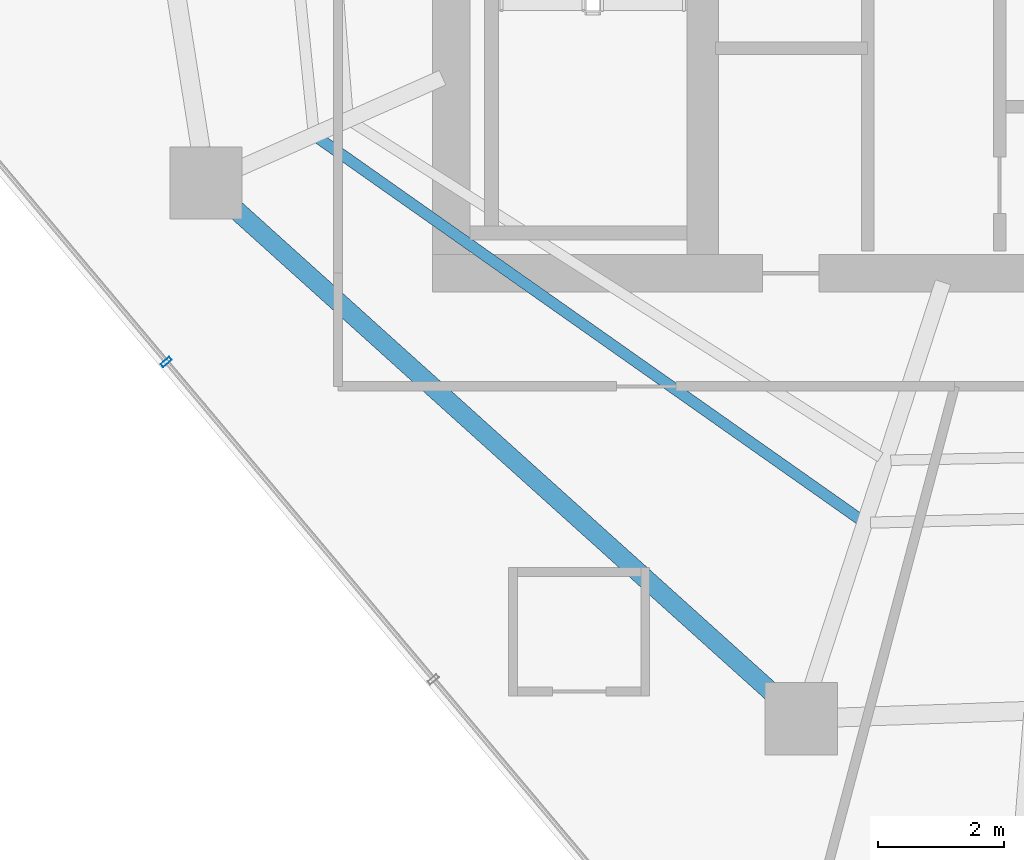
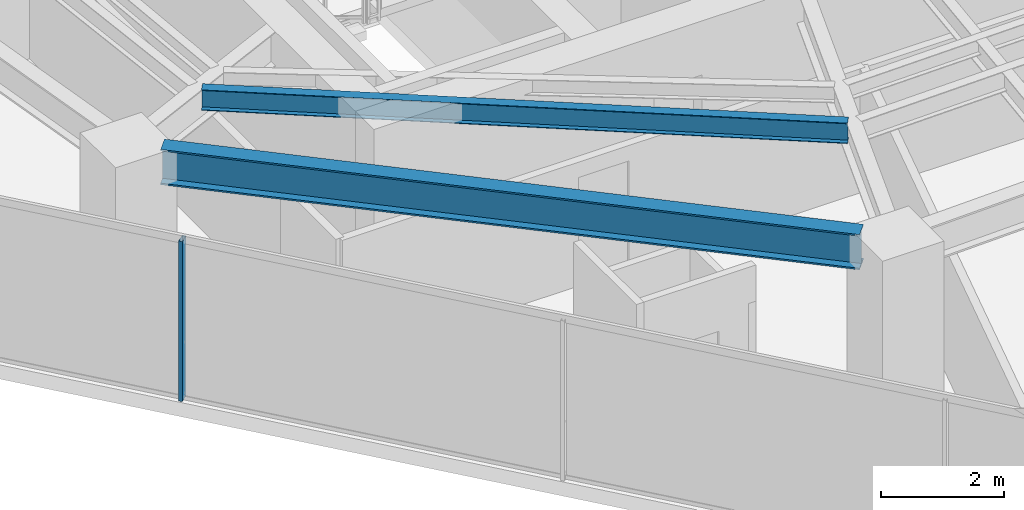
# One storey, part 4 of 27: 2 beams, 1 member, 1 element without a shape of its own.
"""IFC4 building model written with IfcOpenShell, lengths in metres."""

from ifc_helpers import new_model, si_unit, direction, frame, origin, origin_2d, place, context, subcontext, project, spatial, hollow_rectangle, i_section, extrude, material, layer, layer_set, material_profile, profile_set, type_object, element, aggregate, save


model = new_model("IFC4")

# Units and contexts
model_context = context("Model", 3, precision=1e-05, world=origin(), true_north=direction((0.0, 1.0)))
body_context = subcontext(model_context, "Body", "Model", "MODEL_VIEW")
ifc_project = project(units=[si_unit("LENGTHUNIT", "METRE"), si_unit("AREAUNIT", "SQUARE_METRE"), si_unit("VOLUMEUNIT", "CUBIC_METRE"), si_unit("PLANEANGLEUNIT", "RADIAN"), si_unit("MASSUNIT", "GRAM", prefix="KILO")], contexts=[model_context])

# Site, building, storey
site_placement = place(None, origin())
site = spatial("IfcSite", under=ifc_project, at=site_placement, CompositionType="ELEMENT")
building_placement = place(site_placement, origin())
building = spatial("IfcBuilding", under=site, at=building_placement, Name="Qarnah Convention Tower", CompositionType="ELEMENT")
storey_placement = place(building_placement, frame((0.0, 0.0, 103.949951171875)))
storey = spatial("IfcBuildingStorey", under=building, at=storey_placement, Name="L27", CompositionType="ELEMENT", Elevation=103.949951171875)

# Beams
ifc_material_1 = material(Name="Structural steel S355JR", Category="steel")
ifc_material_profile_1 = material_profile(ifc_material_1, i_section(OverallWidth=0.177978515625, OverallDepth=0.407958984375, WebThickness=0.008056640625, FlangeThickness=0.012939453125, at=origin_2d()), Name="W410X60")
ifc_profile_set_1 = profile_set([ifc_material_profile_1], Name="Structural steel S355JR")
beam_type_1 = type_object("IfcBeamType", Name="BM-JST-W410", PredefinedType="JOIST", material=ifc_profile_set_1)
beam_1_placement = place(storey_placement, frame((24.69189453125, 20.74609375, 2.966064453125), z_axis=(0.817744581848, -0.57558127042, 0.0), x_axis=(0.57558127042, 0.817744581848, 0.0)))
element("IfcBeam", 1, at=beam_1_placement, inside=storey, type_object=beam_type_1, Name="L27 joist BM-L27-SJST-06", PredefinedType="JOIST", context=body_context, shape_type="SweptSolid", body=[
    extrude(i_section(OverallWidth=0.177978515625, OverallDepth=0.407958984375, WebThickness=0.008056640625, FlangeThickness=0.012939453125, at=origin_2d()), origin(), (0.0, 0.0, 1.0), 10.5302734375),
])
ifc_material_profile_2 = material_profile(ifc_material_1, i_section(OverallWidth=0.300048828125, OverallDepth=0.699951171875, WebThickness=0.01708984375, FlangeThickness=0.031982421875, at=origin_2d()), Name="HEB700")
ifc_profile_set_2 = profile_set([ifc_material_profile_2], Name="Structural steel S355JR")
beam_type_2 = type_object("IfcBeamType", Name="BM-RING-HEB700", PredefinedType="BEAM", material=ifc_profile_set_2)
beam_2_placement = place(storey_placement, frame((23.322998046875, 19.656982421875, 2.820068359375), z_axis=(0.743124603424, -0.669153064541, 0.0), x_axis=(0.669153064541, 0.743124603424, 0.0)))
element("IfcBeam", 2, at=beam_2_placement, inside=storey, type_object=beam_type_2, Name="L27 beam BM-L27-SPN-06", PredefinedType="BEAM", context=body_context, shape_type="SweptSolid", body=[
    extrude(i_section(OverallWidth=0.300048828125, OverallDepth=0.699951171875, WebThickness=0.01708984375, FlangeThickness=0.031982421875, at=origin_2d()), origin(), (0.0, 0.0, 1.0), 11.60107421875),
])

# Curtain wall, member
ifc_material_2 = material(Name="Tempered Low-E dark glass", Category="glass")
ifc_layer = layer(ifc_material_2, 0.169921875)
ifc_layer_set = layer_set([ifc_layer], Name="Tempered Low-E dark glass")
curtain_wall_type = type_object("IfcCurtainWallType", Name="CWS-02", PredefinedType="NOTDEFINED", material=ifc_layer_set)
curtain_wall_placement = place(storey_placement, origin())
curtain_wall = element("IfcCurtainWall", 3, at=curtain_wall_placement, inside=storey, type_object=curtain_wall_type, Name="L27 unitised curtain wall CW-L27-F1", PredefinedType="NOTDEFINED")
ifc_material_3 = material(Name="Black anodised aluminium", Category="aluminium")
ifc_material_profile_3 = material_profile(ifc_material_3, hollow_rectangle(XDim=0.06494140625, YDim=0.179931640625, WallThickness=0.00390625, at=origin_2d()), Name="MUL-65X180")
ifc_profile_set_3 = profile_set([ifc_material_profile_3], Name="Black anodised aluminium")
member_type = type_object("IfcMemberType", Name="MUL-T2", PredefinedType="MULLION", material=ifc_profile_set_3)
member_placement = place(storey_placement, frame((22.269287109375, 17.18994140625, 0.0), z_axis=(0.0, 0.0, 1.0), x_axis=(-0.643878016017, 0.76512815952, 0.0)))
member = element("IfcMember", 4, at=member_placement, type_object=member_type, Name="CW-L27-F1 mullion 4", PredefinedType="MULLION", context=body_context, shape_type="SweptSolid", body=[
    extrude(hollow_rectangle(XDim=0.06494140625, YDim=0.179931640625, WallThickness=0.00390625, at=origin_2d()), origin(), (0.0, 0.0, 1.0), 3.170166015625),
])
aggregate(curtain_wall, [member])

save(model, "model.ifc")
